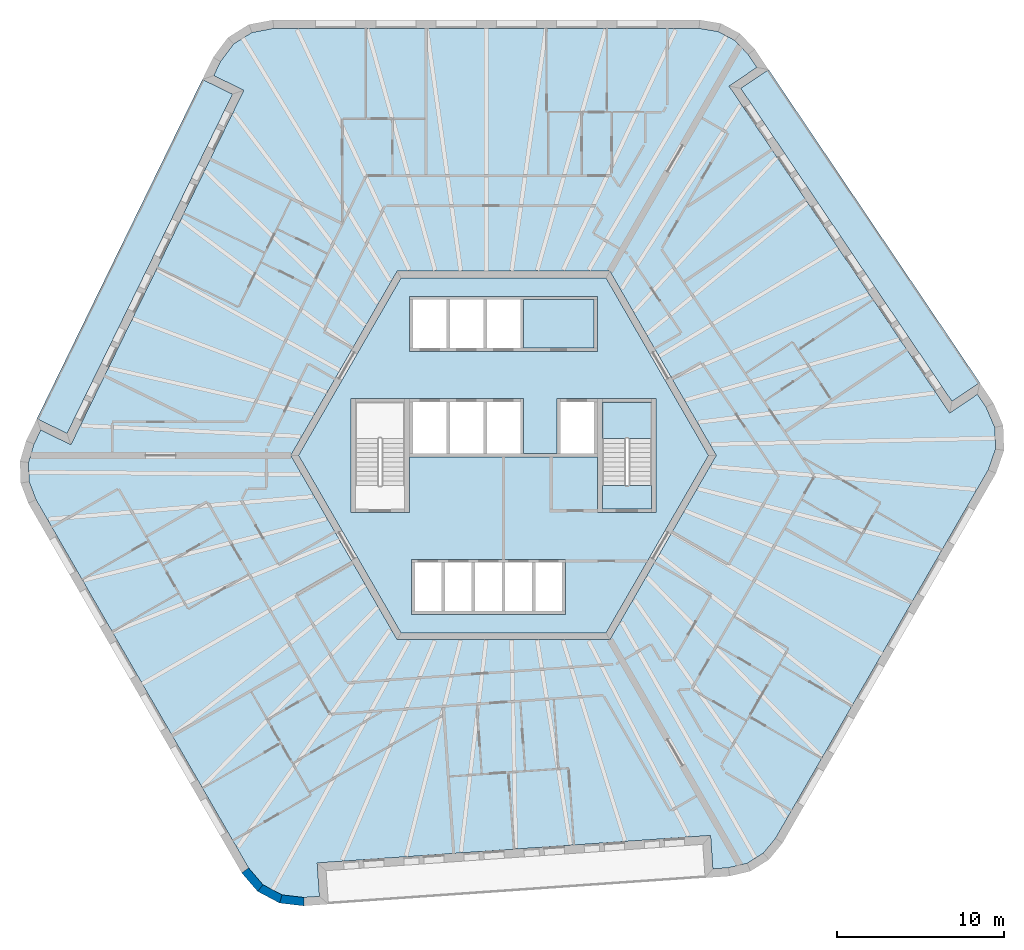
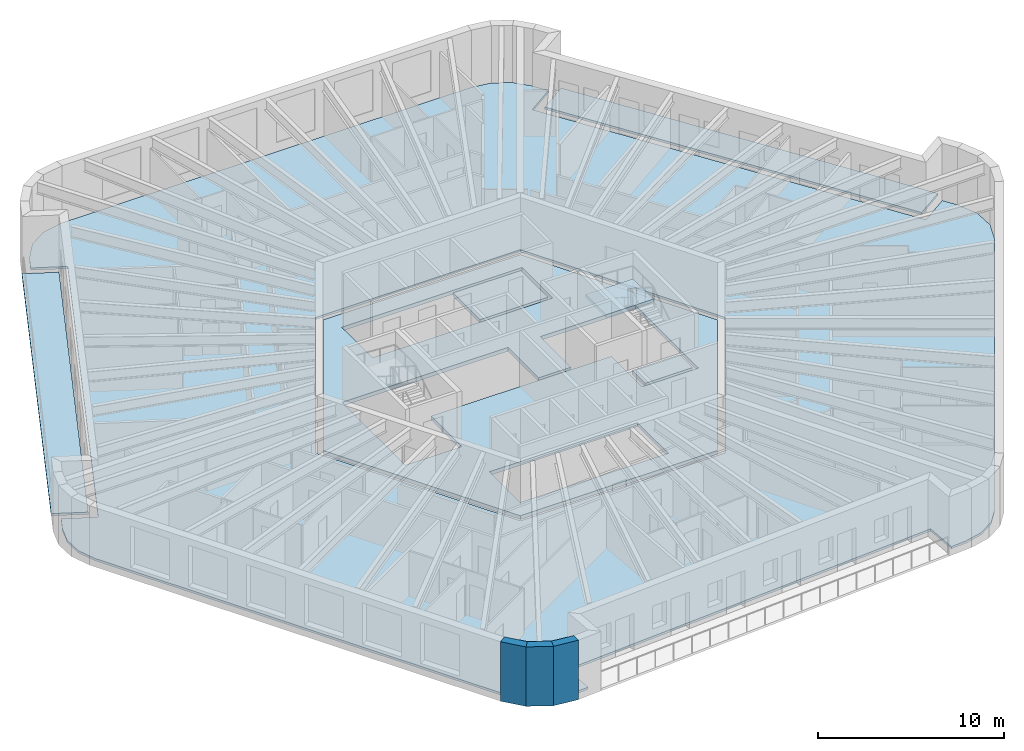
# One storey, part 2 of 12: 7 slabs, 3 walls, 1 element without a shape of its own.
"""IFC4 building model written with IfcOpenShell, lengths in metres."""

from ifc_helpers import new_model, si_unit, direction, frame, origin, place, context, subcontext, project, spatial, polyline, outline, extrude, material, layer, layer_set, type_object, element, aggregate, save


model = new_model("IFC4")

# Units and contexts
model_context = context("Model", 3, precision=1e-05, world=origin(), true_north=direction((0.0, 1.0)))
body_context = subcontext(model_context, "Body", "Model", "MODEL_VIEW")
ifc_project = project(units=[si_unit("LENGTHUNIT", "METRE"), si_unit("AREAUNIT", "SQUARE_METRE"), si_unit("VOLUMEUNIT", "CUBIC_METRE"), si_unit("PLANEANGLEUNIT", "RADIAN"), si_unit("MASSUNIT", "GRAM", prefix="KILO")], contexts=[model_context])

# Site, building, storey
site_placement = place(None, origin())
site = spatial("IfcSite", under=ifc_project, at=site_placement, CompositionType="ELEMENT")
building_placement = place(site_placement, origin())
building = spatial("IfcBuilding", under=site, at=building_placement, Name="Tarnside Tower", CompositionType="ELEMENT")
storey_placement = place(building_placement, frame((0.0, 0.0, 322.5)))
storey = spatial("IfcBuildingStorey", under=building, at=storey_placement, Name="L78", CompositionType="ELEMENT", Elevation=322.5)

# Slabs
ifc_material_1 = material(Name="Concrete C35/45", Category="concrete")
ifc_layer_1 = layer(ifc_material_1, 0.14990234375)
ifc_layer_set_1 = layer_set([ifc_layer_1], Name="Composite floor slab 150")
slab_type_1 = type_object("IfcSlabType", Name="Composite floor slab 150", PredefinedType="FLOOR", material=ifc_layer_set_1)
slab_1_placement = place(storey_placement, frame((0.0, 0.0, -0.14990234375)))
element("IfcSlab", 1, at=slab_1_placement, inside=storey, type_object=slab_type_1, Name="Floor slab L78", PredefinedType="FLOOR", context=body_context, shape_type="SweptSolid", body=[
    extrude(outline(polyline([(12.81689453125, 25.312744140625), (13.818115234375, 24.7802734375), (14.610595703125, 23.940185546875), (15.130615234375, 23.169677734375), (13.472412109375, 22.05126953125), (26.638427734375, 2.53173828125), (28.29638671875, 3.650146484375), (28.814697265625, 2.8818359375), (29.336669921875, 1.671875), (29.3818359375, 0.378662109375), (28.945556640625, -0.864990234375), (16.2451171875, -22.86279296875), (15.51318359375, -23.756103515625), (14.55126953125, -24.35693359375), (13.427490234375, -24.623291015625), (12.500244140625, -24.688232421875), (12.360595703125, -22.693115234375), (-11.126708984375, -24.33544921875), (-10.9873046875, -26.33056640625), (-11.91162109375, -26.395263671875), (-13.220458984375, -26.2421875), (-14.363037109375, -25.634765625), (-15.2216796875, -24.635009765625), (-27.922119140625, -2.63720703125), (-28.329833984375, -1.556640625), (-28.369384765625, -0.42333984375), (-28.0380859375, 0.68310546875), (-27.630615234375, 1.5185546875), (-25.8330078125, 0.641845703125), (-15.51171875, 21.8037109375), (-17.309326171875, 22.680419921875), (-16.903076171875, 23.51318359375), (-16.1162109375, 24.5703125), (-15.018798828125, 25.256103515625), (-13.723876953125, 25.5), (11.67724609375, 25.5), (12.81689453125, 25.312744140625)]), holes=[polyline([(-12.70166015625, 0.0), (-6.350830078125, -11.0), (6.350830078125, -11.0), (12.70166015625, 0.0), (6.350830078125, 11.0), (-6.350830078125, 11.0), (-12.70166015625, 0.0)])]), origin(), (0.0, 0.0, 1.0), 0.14990234375),
])
ifc_material_2 = material(Name="Concrete C40/50", Category="concrete")
ifc_layer_2 = layer(ifc_material_2, 0.25)
ifc_layer_set_2 = layer_set([ifc_layer_2], Name="Core slab C40/50")
slab_type_2 = type_object("IfcSlabType", Name="Core slab C40/50", PredefinedType="FLOOR", material=ifc_layer_set_2)
slab_2_placement = place(storey_placement, frame((0.0, 0.0, -0.25)))
element("IfcSlab", 2, at=slab_2_placement, inside=storey, type_object=slab_type_2, Name="L78 core floor slab 1", PredefinedType="FLOOR", context=body_context, shape_type="SweptSolid", body=[
    extrude(outline(polyline([(6.119873046875, 10.60009765625), (12.23974609375, 0.0), (6.119873046875, -10.60009765625), (-6.119873046875, -10.60009765625), (-12.23974609375, 0.0), (-6.119873046875, 10.60009765625), (6.119873046875, 10.60009765625)]), holes=[polyline([(-5.5, -9.5), (3.699951171875, -9.5), (3.699951171875, -9.300048828125), (3.699951171875, -6.39990234375), (3.699951171875, -6.199951171875), (-5.5, -6.199951171875), (-5.5, -6.39990234375), (-5.5, -9.300048828125), (-5.5, -9.5)]), polyline([(-5.60009765625, -3.39990234375), (-5.60009765625, -0.10009765625), (5.60009765625, -0.10009765625), (5.60009765625, -3.39990234375), (5.89990234375, -3.39990234375), (8.85009765625, -3.39990234375), (9.10009765625, -3.39990234375), (9.10009765625, 3.39990234375), (8.85009765625, 3.39990234375), (5.89990234375, 3.39990234375), (5.60009765625, 3.39990234375), (3.39990234375, 3.39990234375), (3.199951171875, 3.39990234375), (3.199951171875, 0.10009765625), (1.199951171875, 0.10009765625), (1.199951171875, 3.39990234375), (1.0, 3.39990234375), (-5.60009765625, 3.39990234375), (-5.89990234375, 3.39990234375), (-8.85009765625, 3.39990234375), (-9.10009765625, 3.39990234375), (-9.10009765625, -3.39990234375), (-8.85009765625, -3.39990234375), (-5.89990234375, -3.39990234375), (-5.60009765625, -3.39990234375)]), polyline([(-5.60009765625, 6.199951171875), (5.60009765625, 6.199951171875), (5.60009765625, 6.39990234375), (5.60009765625, 9.300048828125), (5.60009765625, 9.5), (-5.60009765625, 9.5), (-5.60009765625, 9.300048828125), (-5.60009765625, 6.39990234375), (-5.60009765625, 6.199951171875)])]), origin(), (0.0, 0.0, 1.0), 0.25),
])
slab_3_placement = place(storey_placement, frame((0.0, 0.0, -0.25)))
element("IfcSlab", 3, at=slab_3_placement, inside=storey, type_object=slab_type_2, Name="L78 core floor slab 3", PredefinedType="FLOOR", context=body_context, shape_type="SweptSolid", body=[
    extrude(outline(polyline([(5.89990234375, -1.800048828125), (8.85009765625, -1.800048828125), (8.85009765625, -3.199951171875), (5.89990234375, -3.199951171875), (5.89990234375, -1.800048828125)])), origin(), (0.0, 0.0, 1.0), 0.25),
])
slab_4_placement = place(storey_placement, frame((0.0, 0.0, -0.25)))
element("IfcSlab", 4, at=slab_4_placement, inside=storey, type_object=slab_type_2, Name="L78 core floor slab 4", PredefinedType="FLOOR", context=body_context, shape_type="SweptSolid", body=[
    extrude(outline(polyline([(5.39990234375, 6.39990234375), (1.199951171875, 6.39990234375), (1.199951171875, 9.300048828125), (5.39990234375, 9.300048828125), (5.39990234375, 6.39990234375)])), origin(), (0.0, 0.0, 1.0), 0.25),
])
ifc_material_3 = material(Name="Timber decking", Category="wood")
ifc_layer_3 = layer(ifc_material_3, 0.0400390625)
ifc_material_4 = material(Name="Concrete C60/75 precast", Category="concrete")
ifc_layer_4 = layer(ifc_material_4, 0.110107421875)
ifc_layer_set_3 = layer_set([ifc_layer_3, ifc_layer_4], Name="Loggia deck 150")
slab_type_3 = type_object("IfcSlabType", Name="Loggia deck 150", PredefinedType="FLOOR", material=ifc_layer_set_3)
slab_5_placement = place(storey_placement, frame((0.0, 0.0, -0.14990234375)))
element("IfcSlab", 5, at=slab_5_placement, inside=storey, type_object=slab_type_3, Name="Loggia deck L78 F2", PredefinedType="FLOOR", context=body_context, shape_type="SweptSolid", body=[
    extrude(outline(polyline([(-16.180419921875, 21.573486328125), (-26.063232421875, 1.310302734375), (-27.86083984375, 2.187255859375), (-17.97802734375, 22.4501953125), (-16.180419921875, 21.573486328125)])), origin(), (0.0, 0.0, 1.0), 0.14990234375),
])
slab_6_placement = place(storey_placement, frame((0.0, 0.0, -0.14990234375)))
element("IfcSlab", 6, at=slab_6_placement, inside=storey, type_object=slab_type_3, Name="Loggia deck L78 F6", PredefinedType="FLOOR", context=body_context, shape_type="SweptSolid", body=[
    extrude(outline(polyline([(26.7734375, 3.225830078125), (14.16650390625, 21.916259765625), (15.82470703125, 23.03466796875), (28.431396484375, 4.34423828125), (26.7734375, 3.225830078125)])), origin(), (0.0, 0.0, 1.0), 0.14990234375),
])

# Stair, slab
stair_type = type_object("IfcStairType", Name="Exit stair 1400 clear", PredefinedType="HALF_TURN_STAIR", material=ifc_material_2)
stair_placement = place(storey_placement, origin())
stair = element("IfcStair", 7, at=stair_placement, inside=storey, type_object=stair_type, Name="L78 Exit stair 1", PredefinedType="HALF_TURN_STAIR")
ifc_layer_5 = layer(ifc_material_2, 0.199951171875)
ifc_layer_set_4 = layer_set([ifc_layer_5], Name="Stair landing 200 C40/50")
slab_type_4 = type_object("IfcSlabType", Name="Stair landing 200 C40/50", PredefinedType="LANDING", material=ifc_layer_set_4)
slab_7_placement = place(storey_placement, frame((0.0, 0.0, 1.75)))
slab_7 = element("IfcSlab", 8, at=slab_7_placement, type_object=slab_type_4, Name="ST1 landing 1", PredefinedType="LANDING", context=body_context, shape_type="SweptSolid", body=[
    extrude(outline(polyline([(8.85009765625, 1.0), (8.85009765625, 3.199951171875), (5.89990234375, 3.199951171875), (5.89990234375, 1.0), (8.85009765625, 1.0)])), origin(), (0.0, 0.0, 1.0), 0.199951171875),
])
aggregate(stair, [slab_7])

# Walls
ifc_material_5 = material(Name="Facing brick", Category="masonry")
ifc_layer_6 = layer(ifc_material_5, 0.10205078125)
ifc_layer_7 = layer(ifc_material_4, 0.298095703125)
ifc_material_6 = material(Name="Mineral wool insulation")
ifc_layer_8 = layer(ifc_material_6, 0.10009765625)
ifc_layer_set_5 = layer_set([ifc_layer_6, ifc_layer_7, ifc_layer_8], Name="Tube wall 500 brick faced")
wall_type = type_object("IfcWallType", Name="Tube wall 500 brick faced", PredefinedType="SOLIDWALL", material=ifc_layer_set_5)
wall_1_placement = place(storey_placement, frame((-15.426513671875, -24.7802734375, -0.14990234375), z_axis=(0.0, 0.0, 1.0), x_axis=(0.651616566281, -0.758548515619, 0.0)))
element("IfcWall", 9, at=wall_1_placement, inside=storey, type_object=wall_type, Name="Tube wall L78 F3 chord 13", PredefinedType="SOLIDWALL", context=body_context, shape_type="SweptSolid", body=[
    extrude(outline(polyline([(-0.0234375, -0.25), (1.435302734375, -0.25), (1.341064453125, 0.25), (0.0234375, 0.25), (-0.0234375, -0.25)])), origin(), (0.0, 0.0, 1.0), 3.89990234375),
])
wall_2_placement = place(storey_placement, frame((-14.52197265625, -25.833251953125, -0.14990234375), z_axis=(0.0, 0.0, 1.0), x_axis=(0.882926676147, -0.469510899286, 0.0)))
element("IfcWall", 10, at=wall_2_placement, inside=storey, type_object=wall_type, Name="Tube wall L78 F3 chord 14", PredefinedType="SOLIDWALL", context=body_context, shape_type="SweptSolid", body=[
    extrude(outline(polyline([(-0.047119140625, -0.25), (1.435546875, -0.25), (1.34130859375, 0.25), (0.047119140625, 0.25), (-0.047119140625, -0.25)])), origin(), (0.0, 0.0, 1.0), 3.89990234375),
])
wall_3_placement = place(storey_placement, frame((-13.296142578125, -26.485107421875, -0.14990234375), z_axis=(0.0, 0.0, 1.0), x_axis=(0.993239161627, -0.116086036245, 0.0)))
element("IfcWall", 11, at=wall_3_placement, inside=storey, type_object=wall_type, Name="Tube wall L78 F3 chord 15", PredefinedType="SOLIDWALL", context=body_context, shape_type="SweptSolid", body=[
    extrude(outline(polyline([(-0.047119140625, -0.25), (1.411376953125, -0.25), (1.364501953125, 0.25), (0.047119140625, 0.25), (-0.047119140625, -0.25)])), origin(), (0.0, 0.0, 1.0), 3.89990234375),
])

save(model, "model.ifc")
